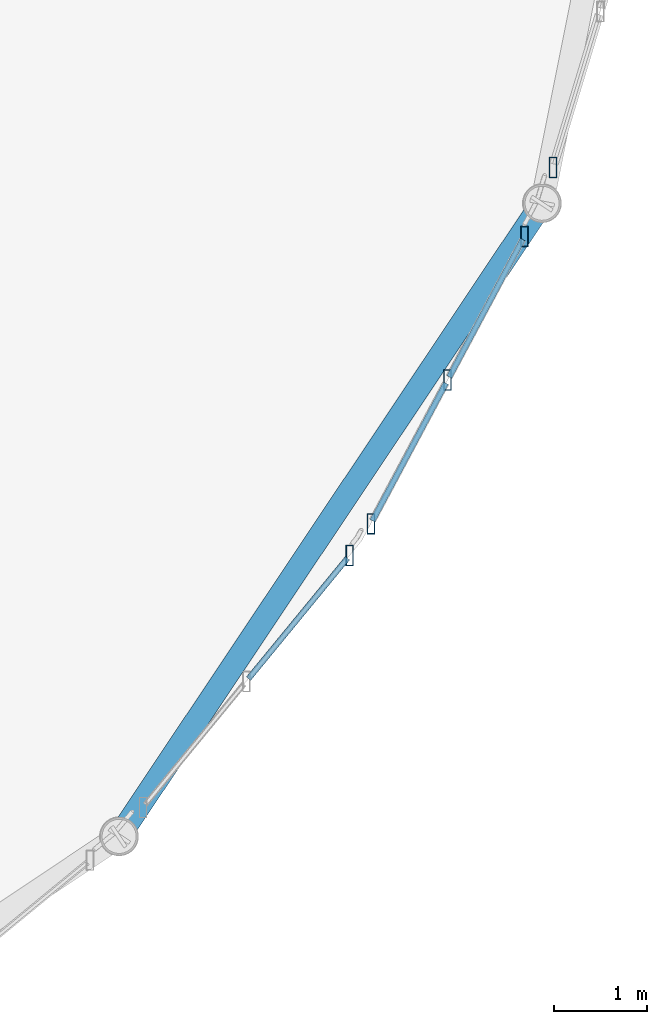
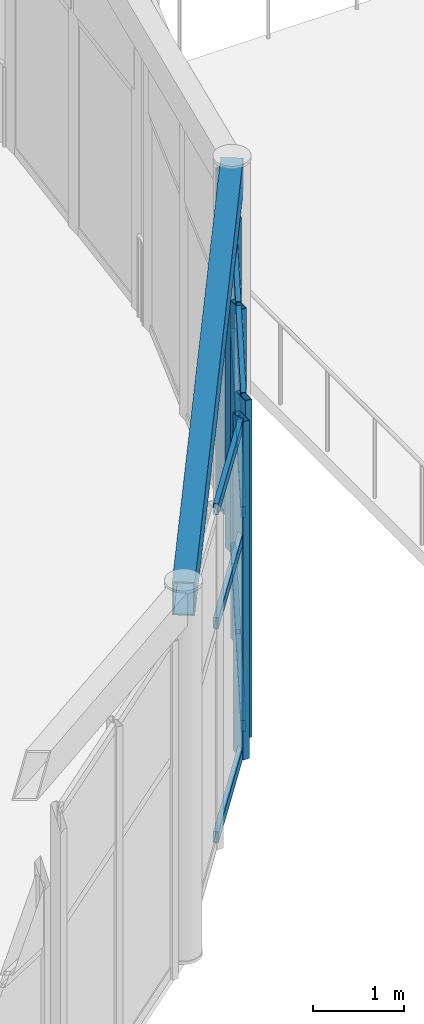
# One storey, part 26 of 195: 14 members, 1 beam, 3 elements without a shape of their own.
"""IFC4 building model written with IfcOpenShell, lengths in metres."""

from ifc_helpers import new_model, si_unit, direction, frame, origin, origin_2d, place, context, subcontext, project, spatial, hollow_rectangle, extrude, material, layer, layer_set, material_profile, profile_set, type_object, element, aggregate, save


model = new_model("IFC4")

# Units and contexts
model_context = context("Model", 3, precision=1e-05, world=origin(), true_north=direction((0.0, 1.0)))
body_context = subcontext(model_context, "Body", "Model", "MODEL_VIEW")
ifc_project = project(units=[si_unit("LENGTHUNIT", "METRE"), si_unit("AREAUNIT", "SQUARE_METRE"), si_unit("VOLUMEUNIT", "CUBIC_METRE"), si_unit("PLANEANGLEUNIT", "RADIAN"), si_unit("MASSUNIT", "GRAM", prefix="KILO")], contexts=[model_context])

# Site, building, storey
site_placement = place(None, origin())
site = spatial("IfcSite", under=ifc_project, at=site_placement, CompositionType="ELEMENT")
building_placement = place(site_placement, origin())
building = spatial("IfcBuilding", under=site, at=building_placement, Name="Marlcrest Central Station", CompositionType="ELEMENT")
storey_placement = place(building_placement, frame((0.0, 0.0, 9.800048828125)))
storey = spatial("IfcBuildingStorey", under=building, at=storey_placement, Name="L02", CompositionType="ELEMENT", Elevation=9.800048828125)

# Curtain wall, member
ifc_material_1 = material(Name="Anodised aluminium and hurricane laminated glass", Category="aluminium")
ifc_layer = layer(ifc_material_1, 0.219970703125, Name="CW-U1")
ifc_layer_set = layer_set([ifc_layer], Name="Anodised aluminium and hurricane laminated glass")
curtain_wall_type = type_object("IfcCurtainWallType", Name="CW-U1", PredefinedType="USERDEFINED", material=ifc_layer_set)
curtain_wall_1_placement = place(storey_placement, origin())
curtain_wall_1 = element("IfcCurtainWall", 1, at=curtain_wall_1_placement, inside=storey, type_object=curtain_wall_type, Name="cw-L02-0037", ObjectType="UNITISED_CURTAIN_WALL", PredefinedType="USERDEFINED")
ifc_material_2 = material(Name="Anodised aluminium 6063-T6", Category="aluminium")
ifc_material_profile_1 = material_profile(ifc_material_2, hollow_rectangle(XDim=0.080078125, YDim=0.219970703125, WallThickness=0.006103515625, at=origin_2d()), Name="AA-RHS 220x80x6")
ifc_profile_set_1 = profile_set([ifc_material_profile_1], Name="Anodised aluminium 6063-T6")
member_type_1 = type_object("IfcMemberType", Name="ML-01", PredefinedType="MULLION", material=ifc_profile_set_1)
member_1_placement = place(storey_placement, frame((125.330322265625, 10.673828125, -0.030029296875), z_axis=(0.0, 0.0, 1.0), x_axis=(1.0, 0.0, 0.0)))
member_1 = element("IfcMember", 2, at=member_1_placement, type_object=member_type_1, Name="cw-L02-0037-ml-0", PredefinedType="MULLION", context=body_context, shape_type="SweptSolid", body=[
    extrude(hollow_rectangle(XDim=0.080078125, YDim=0.219970703125, WallThickness=0.006103515625, at=origin_2d()), origin(), (0.0, 0.0, 1.0), 4.56005859375),
])

# Curtain wall, members
curtain_wall_2_placement = place(storey_placement, origin())
curtain_wall_2 = element("IfcCurtainWall", 3, at=curtain_wall_2_placement, inside=storey, type_object=curtain_wall_type, Name="cw-L02-0038", ObjectType="UNITISED_CURTAIN_WALL", PredefinedType="USERDEFINED")
member_2_placement = place(storey_placement, frame((127.210693359375, 14.107666015625, -0.030029296875), z_axis=(0.0, 0.0, 1.0), x_axis=(1.0, 0.0, 0.0)))
member_2 = element("IfcMember", 4, at=member_2_placement, type_object=member_type_1, Name="cw-L02-0038-ml-0", PredefinedType="MULLION", context=body_context, shape_type="SweptSolid", body=[
    extrude(hollow_rectangle(XDim=0.080078125, YDim=0.219970703125, WallThickness=0.006103515625, at=origin_2d()), origin(), (0.0, 0.0, 1.0), 4.56005859375),
])
member_3_placement = place(storey_placement, frame((126.38427734375, 12.56103515625, -0.030029296875), z_axis=(0.0, 0.0, 1.0), x_axis=(1.0, 0.0, 0.0)))
member_3 = element("IfcMember", 5, at=member_3_placement, type_object=member_type_1, Name="cw-L02-0038-ml-1", PredefinedType="MULLION", context=body_context, shape_type="SweptSolid", body=[
    extrude(hollow_rectangle(XDim=0.080078125, YDim=0.219970703125, WallThickness=0.006103515625, at=origin_2d()), origin(), (0.0, 0.0, 1.0), 4.56005859375),
])
member_4_placement = place(storey_placement, frame((125.55810546875, 11.014404296875, -0.030029296875), z_axis=(0.0, 0.0, 1.0), x_axis=(1.0, 0.0, 0.0)))
member_4 = element("IfcMember", 6, at=member_4_placement, type_object=member_type_1, Name="cw-L02-0038-ml-2", PredefinedType="MULLION", context=body_context, shape_type="SweptSolid", body=[
    extrude(hollow_rectangle(XDim=0.080078125, YDim=0.219970703125, WallThickness=0.006103515625, at=origin_2d()), origin(), (0.0, 0.0, 1.0), 4.56005859375),
])

# Curtain wall, member
curtain_wall_3_placement = place(storey_placement, origin())
curtain_wall_3 = element("IfcCurtainWall", 7, at=curtain_wall_3_placement, inside=storey, type_object=curtain_wall_type, Name="cw-L02-0039", ObjectType="UNITISED_CURTAIN_WALL", PredefinedType="USERDEFINED")
member_5_placement = place(storey_placement, frame((127.518310546875, 14.8505859375, -0.030029296875), z_axis=(0.0, 0.0, 1.0), x_axis=(1.0, 0.0, 0.0)))
member_5 = element("IfcMember", 8, at=member_5_placement, type_object=member_type_1, Name="cw-L02-0039-ml-2", PredefinedType="MULLION", context=body_context, shape_type="SweptSolid", body=[
    extrude(hollow_rectangle(XDim=0.080078125, YDim=0.219970703125, WallThickness=0.006103515625, at=origin_2d()), origin(), (0.0, 0.0, 1.0), 4.56005859375),
])
aggregate(curtain_wall_3, [member_5])

# Beam
ifc_material_3 = material(Name="Steel S355", Category="steel")
ifc_material_profile_2 = material_profile(ifc_material_3, hollow_rectangle(XDim=0.25, YDim=0.449951171875, WallThickness=0.01611328125, at=origin_2d()), Name="RHS 450x250x16")
ifc_profile_set_2 = profile_set([ifc_material_profile_2], Name="Steel S355")
beam_type = type_object("IfcBeamType", Name="SP-02", PredefinedType="SPANDREL", material=ifc_profile_set_2)
beam_placement = place(storey_placement, frame((122.84912109375, 7.65087890625, 4.77001953125), z_axis=(0.55551129271, 0.831508991937, 0.0), x_axis=(-0.831508991937, 0.55551129271, 0.0)))
element("IfcBeam", 9, at=beam_placement, inside=storey, type_object=beam_type, Name="bm-SP-02-L02-01376", PredefinedType="SPANDREL", context=body_context, shape_type="SweptSolid", body=[
    extrude(hollow_rectangle(XDim=0.25, YDim=0.449951171875, WallThickness=0.01611328125, at=origin_2d()), origin(), (0.0, 0.0, 1.0), 8.19384765625),
])

# Member
ifc_material_profile_3 = material_profile(ifc_material_2, hollow_rectangle(XDim=0.06005859375, YDim=0.14990234375, WallThickness=0.00390625, at=origin_2d()), Name="AA-RHS 150x60x4")
ifc_profile_set_3 = profile_set([ifc_material_profile_3], Name="Anodised aluminium 6063-T6")
member_type_2 = type_object("IfcMemberType", Name="TR-01", PredefinedType="USERDEFINED", material=ifc_profile_set_3)
member_6_placement = place(storey_placement, frame((125.306396484375, 10.64453125, 0.0400390625), z_axis=(-0.634512842936, -0.772912318539, 0.0), x_axis=(0.772912318539, -0.634512842936, 0.0)))
member_6 = element("IfcMember", 10, at=member_6_placement, type_object=member_type_2, Name="cw-L02-0037-tr-0-sill", ObjectType="TRANSOM", PredefinedType="USERDEFINED", context=body_context, shape_type="SweptSolid", body=[
    extrude(hollow_rectangle(XDim=0.06005859375, YDim=0.14990234375, WallThickness=0.00390625, at=origin_2d()), origin(), (0.0, 0.0, 1.0), 1.677490234375),
])

member_7_placement = place(storey_placement, frame((125.306396484375, 10.64453125, 2.925048828125), z_axis=(-0.634512842936, -0.772912318539, 0.0), x_axis=(0.772912318539, -0.634512842936, 0.0)))
member_7 = element("IfcMember", 11, at=member_7_placement, type_object=member_type_2, Name="cw-L02-0037-tr-0-mid", ObjectType="TRANSOM", PredefinedType="USERDEFINED", context=body_context, shape_type="SweptSolid", body=[
    extrude(hollow_rectangle(XDim=0.06005859375, YDim=0.14990234375, WallThickness=0.00390625, at=origin_2d()), origin(), (0.0, 0.0, 1.0), 1.677490234375),
])

member_8_placement = place(storey_placement, frame((125.306396484375, 10.64453125, 4.4599609375), z_axis=(-0.634512842936, -0.772912318539, 0.0), x_axis=(0.772912318539, -0.634512842936, 0.0)))
member_8 = element("IfcMember", 12, at=member_8_placement, type_object=member_type_2, Name="cw-L02-0037-tr-0-head", ObjectType="TRANSOM", PredefinedType="USERDEFINED", context=body_context, shape_type="SweptSolid", body=[
    extrude(hollow_rectangle(XDim=0.06005859375, YDim=0.14990234375, WallThickness=0.00390625, at=origin_2d()), origin(), (0.0, 0.0, 1.0), 1.677490234375),
])

aggregate(curtain_wall_1, [member_1, member_6, member_7, member_8])

member_9_placement = place(storey_placement, frame((127.192626953125, 14.07421875, 0.0400390625), z_axis=(-0.471207478568, -0.882022398889, 0.0), x_axis=(0.882022398889, -0.471207478568, 0.0)))
member_9 = element("IfcMember", 13, at=member_9_placement, type_object=member_type_2, Name="cw-L02-0038-tr-0-sill", ObjectType="TRANSOM", PredefinedType="USERDEFINED", context=body_context, shape_type="SweptSolid", body=[
    extrude(hollow_rectangle(XDim=0.06005859375, YDim=0.14990234375, WallThickness=0.00390625, at=origin_2d()), origin(), (0.0, 0.0, 1.0), 1.677734375),
])

member_10_placement = place(storey_placement, frame((127.192626953125, 14.07421875, 2.925048828125), z_axis=(-0.471207478568, -0.882022398889, 0.0), x_axis=(0.882022398889, -0.471207478568, 0.0)))
member_10 = element("IfcMember", 14, at=member_10_placement, type_object=member_type_2, Name="cw-L02-0038-tr-0-mid", ObjectType="TRANSOM", PredefinedType="USERDEFINED", context=body_context, shape_type="SweptSolid", body=[
    extrude(hollow_rectangle(XDim=0.06005859375, YDim=0.14990234375, WallThickness=0.00390625, at=origin_2d()), origin(), (0.0, 0.0, 1.0), 1.677734375),
])

member_11_placement = place(storey_placement, frame((127.192626953125, 14.07421875, 4.4599609375), z_axis=(-0.471207478568, -0.882022398889, 0.0), x_axis=(0.882022398889, -0.471207478568, 0.0)))
member_11 = element("IfcMember", 15, at=member_11_placement, type_object=member_type_2, Name="cw-L02-0038-tr-0-head", ObjectType="TRANSOM", PredefinedType="USERDEFINED", context=body_context, shape_type="SweptSolid", body=[
    extrude(hollow_rectangle(XDim=0.06005859375, YDim=0.14990234375, WallThickness=0.00390625, at=origin_2d()), origin(), (0.0, 0.0, 1.0), 1.677734375),
])

member_12_placement = place(storey_placement, frame((126.366455078125, 12.527587890625, 0.0400390625), z_axis=(-0.47126796736, -0.881990080976, 0.0), x_axis=(0.881990080976, -0.47126796736, 0.0)))
member_12 = element("IfcMember", 16, at=member_12_placement, type_object=member_type_2, Name="cw-L02-0038-tr-1-sill", ObjectType="TRANSOM", PredefinedType="USERDEFINED", context=body_context, shape_type="SweptSolid", body=[
    extrude(hollow_rectangle(XDim=0.06005859375, YDim=0.14990234375, WallThickness=0.00390625, at=origin_2d()), origin(), (0.0, 0.0, 1.0), 1.677490234375),
])

member_13_placement = place(storey_placement, frame((126.366455078125, 12.527587890625, 2.925048828125), z_axis=(-0.47126796736, -0.881990080976, 0.0), x_axis=(0.881990080976, -0.47126796736, 0.0)))
member_13 = element("IfcMember", 17, at=member_13_placement, type_object=member_type_2, Name="cw-L02-0038-tr-1-mid", ObjectType="TRANSOM", PredefinedType="USERDEFINED", context=body_context, shape_type="SweptSolid", body=[
    extrude(hollow_rectangle(XDim=0.06005859375, YDim=0.14990234375, WallThickness=0.00390625, at=origin_2d()), origin(), (0.0, 0.0, 1.0), 1.677490234375),
])

member_14_placement = place(storey_placement, frame((126.366455078125, 12.527587890625, 4.4599609375), z_axis=(-0.47126796736, -0.881990080976, 0.0), x_axis=(0.881990080976, -0.47126796736, 0.0)))
member_14 = element("IfcMember", 18, at=member_14_placement, type_object=member_type_2, Name="cw-L02-0038-tr-1-head", ObjectType="TRANSOM", PredefinedType="USERDEFINED", context=body_context, shape_type="SweptSolid", body=[
    extrude(hollow_rectangle(XDim=0.06005859375, YDim=0.14990234375, WallThickness=0.00390625, at=origin_2d()), origin(), (0.0, 0.0, 1.0), 1.677490234375),
])

aggregate(curtain_wall_2, [member_2, member_3, member_4, member_9, member_10, member_11, member_12, member_13, member_14])

save(model, "model.ifc")
